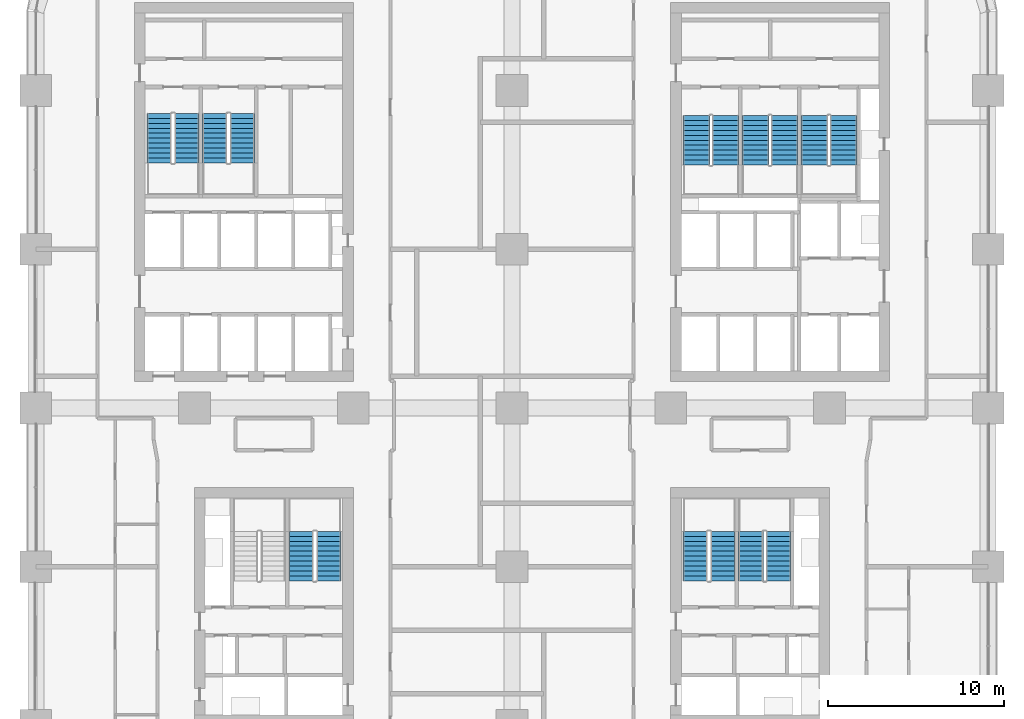
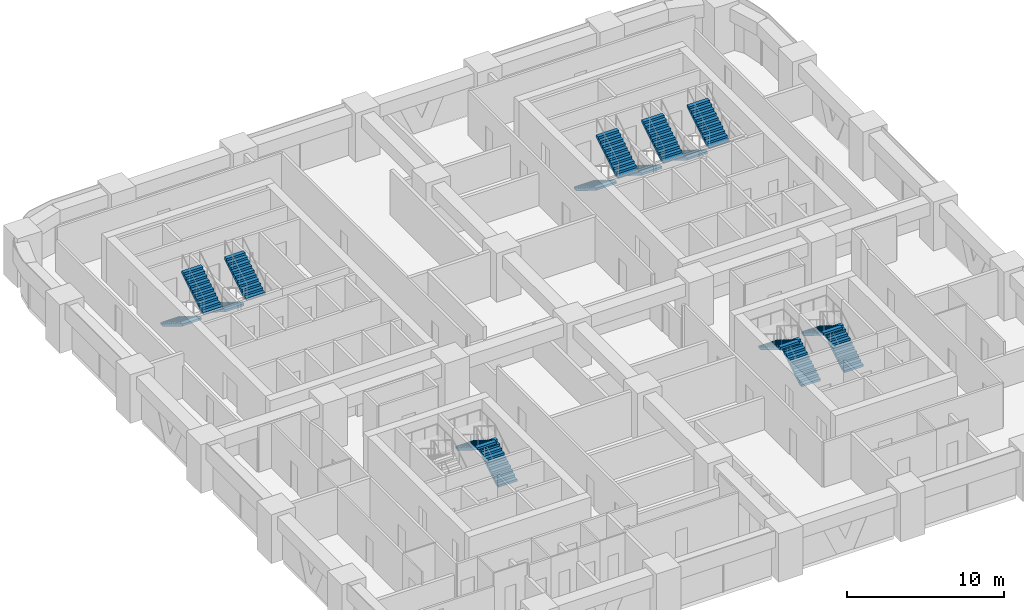
# One storey, part 19 of 21: 16 stair flights, 8 elements without a shape of their own.
"""IFC4 building model written with IfcOpenShell, lengths in metres."""

import ifcopenshell
import ifcopenshell.guid

model = None  # the IFC model being written
_history = None  # IfcOwnerHistory: only IFC2X3 demands one
_inside = {}  # id of a spatial element -> (the spatial element, [elements in it])
_under = {}  # id of a project, library or spatial element -> (it, [spatial elements below it])
_declared = {}  # id of a project -> (the project, [libraries it declares])
_typed = {}  # id of a type object -> (the type object, [elements of that type])
_made_of = {}  # id of a material, layer set ... -> (it, [elements and type objects made of it])


def new_model(schema):
    """Start an empty IFC model of exactly this schema.

    Asked for "IFC4X3", IfcOpenShell would pick the latest addendum, in which some entities
    have other attributes; the version numbers below select the first issue.
    IFC2X3 requires an IfcOwnerHistory on every rooted entity: one is made here for all.
    """
    global model, _history
    if schema == "IFC4X3":
        model = ifcopenshell.file(schema_version=(4, 3, 0, 0))
    else:
        model = ifcopenshell.file(schema=schema)
    _inside.clear()
    _under.clear()
    _declared.clear()
    _typed.clear()
    _made_of.clear()
    _history = None
    if model.schema == "IFC2X3":
        org = make("IfcOrganization", Name="unknown")
        user = make(
            "IfcPersonAndOrganization",
            ThePerson=make("IfcPerson", FamilyName="unknown"),
            TheOrganization=org,
        )
        app = make(
            "IfcApplication",
            ApplicationDeveloper=org,
            Version="unknown",
            ApplicationFullName="unknown",
            ApplicationIdentifier="unknown",
        )
        _history = make(
            "IfcOwnerHistory",
            OwningUser=user,
            OwningApplication=app,
            ChangeAction="ADDED",
            CreationDate=0,
        )
    return model


def make(cls, **values):
    """One entity of the class cls with the attributes given. An attribute that is None is left unset."""
    return model.create_entity(
        cls, **{name: value for name, value in values.items() if value is not None}
    )


def rooted(cls, **values):
    """An entity with a GlobalId (a new one), such as an element, a storey or a relation."""
    return make(cls, GlobalId=ifcopenshell.guid.new(), OwnerHistory=_history, **values)


def si_unit(unit_type, name, prefix=None):
    """IfcSIUnit, for example si_unit("LENGTHUNIT", "METRE", prefix="MILLI")."""
    return make("IfcSIUnit", UnitType=unit_type, Prefix=prefix, Name=name)


def assignment(units):
    """IfcUnitAssignment: the units of a project."""
    return None if units is None else make("IfcUnitAssignment", Units=units)


def point(xyz):
    """IfcCartesianPoint."""
    return None if xyz is None else make("IfcCartesianPoint", Coordinates=xyz)


def direction(xyz):
    """IfcDirection."""
    return None if xyz is None else make("IfcDirection", DirectionRatios=xyz)


def frame(location, z_axis=None, x_axis=None):
    """IfcAxis2Placement3D, a coordinate frame: its origin and axes. An axis left out is left unset."""
    return make(
        "IfcAxis2Placement3D",
        Location=point(location),
        Axis=direction(z_axis),
        RefDirection=direction(x_axis),
    )


def origin():
    """The frame at (0, 0, 0) with its axes left unset."""
    return frame((0.0, 0.0, 0.0))


def place(relative_to, where):
    """IfcLocalPlacement: puts the frame where relative to a parent placement (None: the world)."""
    return make(
        "IfcLocalPlacement", PlacementRelTo=relative_to, RelativePlacement=where
    )


def context(
    kind, dimensions, precision=None, world=None, true_north=None, identifier=None
):
    """IfcGeometricRepresentationContext, for example the 3D "Model" context."""
    return make(
        "IfcGeometricRepresentationContext",
        ContextIdentifier=identifier,
        ContextType=kind,
        CoordinateSpaceDimension=dimensions,
        Precision=precision,
        WorldCoordinateSystem=world,
        TrueNorth=true_north,
    )


def subcontext(parent, identifier, kind, view, scale=None):
    """IfcGeometricRepresentationSubContext, for example "Body" below "Model"."""
    return make(
        "IfcGeometricRepresentationSubContext",
        ContextIdentifier=identifier,
        ContextType=kind,
        ParentContext=parent,
        TargetScale=scale,
        TargetView=view,
    )


def project(units=None, contexts=None):
    """IfcProject with its units and contexts."""
    return rooted(
        "IfcProject",
        Name="project",
        RepresentationContexts=contexts,
        UnitsInContext=assignment(units),
    )


def spatial(cls, under=None, at=None, **own):
    """A site, building, storey or space (cls), placed at a placement, below another one or the project."""
    s = rooted(cls, ObjectPlacement=at, **own)
    if under is not None:
        _under.setdefault(under.id(), (under, []))[1].append(s)
    return s


def polyline(points):
    """IfcPolyline through the points."""
    return make("IfcPolyline", Points=[point(p) for p in points])


def outline(outer, holes=None, kind="AREA"):
    """IfcArbitraryClosedProfileDef: a profile drawn as a closed curve; with holes, ...WithVoids."""
    if holes is None:
        return make("IfcArbitraryClosedProfileDef", ProfileType=kind, OuterCurve=outer)
    return make(
        "IfcArbitraryProfileDefWithVoids",
        ProfileType=kind,
        OuterCurve=outer,
        InnerCurves=holes,
    )


def extrude(swept, where, along, depth):
    """IfcExtrudedAreaSolid: the profile swept, set in the frame where, extruded along a direction by depth."""
    return make(
        "IfcExtrudedAreaSolid",
        SweptArea=swept,
        Position=where,
        ExtrudedDirection=direction(along),
        Depth=depth,
    )


def shape(context_of_items, identifier, shape_type, items):
    """IfcShapeRepresentation: the items that make up one representation, for example the "Body"."""
    return make(
        "IfcShapeRepresentation",
        ContextOfItems=context_of_items,
        RepresentationIdentifier=identifier,
        RepresentationType=shape_type,
        Items=items,
    )


def material(Name=None, Category=None):
    """IfcMaterial."""
    return make("IfcMaterial", Name=Name, Category=Category)


def made_of(thing, what):
    """Note that an element or type object is made of a material, layer set ...; save() writes the relation."""
    if what is not None:
        _made_of.setdefault(what.id(), (what, []))[1].append(thing)
    return thing


def type_object(cls, material=None, **own):
    """A type object (cls), such as IfcWallType, which elements share."""
    return made_of(rooted(cls, **own), material)


def element(
    cls,
    number,
    at=None,
    inside=None,
    cuts=None,
    type_object=None,
    material=None,
    context=None,
    identifier="Body",
    shape_type=None,
    held_by="IfcProductDefinitionShape",
    body=None,
    shapes=None,
    **own,
):
    """One element of the class cls, such as IfcWall. Its Tag is "e" and its number.

    at: its placement. inside: the storey or other place that contains it. cuts: it is an
    opening in that element (IfcRelVoidsElement). A single representation is given by context,
    identifier, shape_type and body (its items); several are given by shapes. held_by: the class
    of the entity that holds the representations. save() writes the other relations.
    """
    e = rooted(cls, Tag="e%d" % number, ObjectPlacement=at, **own)
    if body is not None:
        shapes = [shape(context, identifier, shape_type, body)]
    if shapes is not None:
        e.Representation = make(held_by, Representations=shapes)
    if inside is not None:
        _inside.setdefault(inside.id(), (inside, []))[1].append(e)
    if cuts is not None:
        rooted(
            "IfcRelVoidsElement", RelatingBuildingElement=cuts, RelatedOpeningElement=e
        )
    if type_object is not None:
        _typed.setdefault(type_object.id(), (type_object, []))[1].append(e)
    return made_of(e, material)


def aggregate(whole, parts):
    """IfcRelAggregates: a whole, such as a stair, and the parts it consists of."""
    return rooted("IfcRelAggregates", RelatingObject=whole, RelatedObjects=parts)


def save(model, path):
    """Write the relations noted so far, then the file.

    IfcRelAggregates (storeys below a building ...), IfcRelContainedInSpatialStructure (elements
    in a storey), IfcRelDefinesByType, IfcRelAssociatesMaterial and IfcRelDeclares: one each for
    every whole, place, type object, material and project.
    """
    for whole, parts in _under.values():
        aggregate(whole, parts)
    for where, things in _inside.values():
        rooted(
            "IfcRelContainedInSpatialStructure",
            RelatedElements=things,
            RelatingStructure=where,
        )
    for kind, things in _typed.values():
        rooted("IfcRelDefinesByType", RelatedObjects=things, RelatingType=kind)
    for what, things in _made_of.values():
        rooted("IfcRelAssociatesMaterial", RelatedObjects=things, RelatingMaterial=what)
    for by, libraries in _declared.values():
        rooted("IfcRelDeclares", RelatingContext=by, RelatedDefinitions=libraries)
    model.write(path)


model = new_model("IFC4")

# Units and contexts
model_context = context("Model", 3, precision=1e-05, world=origin(), true_north=direction((0.0, 1.0)))
body_context = subcontext(model_context, "Body", "Model", "MODEL_VIEW")
ifc_project = project(units=[si_unit("LENGTHUNIT", "METRE"), si_unit("AREAUNIT", "SQUARE_METRE"), si_unit("VOLUMEUNIT", "CUBIC_METRE"), si_unit("PLANEANGLEUNIT", "RADIAN"), si_unit("MASSUNIT", "GRAM", prefix="KILO")], contexts=[model_context])

# Site, building, storey
site_placement = place(None, origin())
site = spatial("IfcSite", under=ifc_project, at=site_placement, CompositionType="ELEMENT")
building_placement = place(site_placement, origin())
building = spatial("IfcBuilding", under=site, at=building_placement, Name="Tessera Arch", CompositionType="ELEMENT")
storey_placement = place(building_placement, frame((0.0, 0.0, 69.0)))
storey = spatial("IfcBuildingStorey", under=building, at=storey_placement, Name="L15", CompositionType="ELEMENT", Elevation=69.0)

# Stair, stair flights
ifc_material_1 = material(Name="Concrete C40/50", Category="concrete")
stair_type_1 = type_object("IfcStairType", Name="Dogleg stair 1400", PredefinedType="HALF_TURN_STAIR", material=ifc_material_1)
stair_1_placement = place(storey_placement, origin())
stair_1 = element("IfcStair", 1, at=stair_1_placement, inside=storey, type_object=stair_type_1, Name="L15 S2a", PredefinedType="HALF_TURN_STAIR")
ifc_material_2 = material(Name="Concrete C40/50", Category="concrete")
stair_flight_type_1 = type_object("IfcStairFlightType", Name="Stair flight 1400", PredefinedType="STRAIGHT", material=ifc_material_2)
stair_flight_1_placement = place(storey_placement, frame((7.0, 43.699951171875, 0.0), z_axis=(0.0, 0.0, 1.0), x_axis=(0.0, -1.0, 0.0)))
stair_flight_1 = element("IfcStairFlight", 2, at=stair_flight_1_placement, type_object=stair_flight_type_1, Name="S2a flight 1", NumberOfRisers=11, NumberOfTreads=10, PredefinedType="STRAIGHT", RiserHeight=0.172727273, TreadLength=0.28, context=body_context, shape_type="SweptSolid", body=[
    extrude(outline(polyline([(0.0, 0.0), (0.0, 0.172607421875), (0.280029296875, 0.172607421875), (0.280029296875, 0.345458984375), (0.56005859375, 0.345458984375), (0.56005859375, 0.51806640625), (0.840087890625, 0.51806640625), (0.840087890625, 0.69091796875), (1.1201171875, 0.69091796875), (1.1201171875, 0.863525390625), (1.39990234375, 0.863525390625), (1.39990234375, 1.036376953125), (1.679931640625, 1.036376953125), (1.679931640625, 1.208984375), (1.9599609375, 1.208984375), (1.9599609375, 1.3818359375), (2.239990234375, 1.3818359375), (2.239990234375, 1.554443359375), (2.52001953125, 1.554443359375), (2.52001953125, 1.727294921875), (2.800048828125, 1.727294921875), (2.800048828125, 1.89990234375), (2.800048828125, 1.551025390625), (0.285400390625, 0.0), (0.0, 0.0)])), frame((0.0, 0.699951171875, 0.0), z_axis=(0.0, -1.0, 0.0), x_axis=(1.0, 0.0, 0.0)), (0.0, 0.0, 1.0), 1.39990234375),
])
stair_flight_2_placement = place(storey_placement, frame((8.550048828125, 40.89990234375, 1.89990234375), z_axis=(0.0, 0.0, 1.0), x_axis=(0.0, 1.0, 0.0)))
stair_flight_2 = element("IfcStairFlight", 3, at=stair_flight_2_placement, type_object=stair_flight_type_1, Name="S2a flight 2", NumberOfRisers=11, NumberOfTreads=10, PredefinedType="STRAIGHT", RiserHeight=0.172727273, TreadLength=0.28, context=body_context, shape_type="SweptSolid", body=[
    extrude(outline(polyline([(0.0, 0.0), (0.0, 0.172607421875), (0.280029296875, 0.172607421875), (0.280029296875, 0.345458984375), (0.56005859375, 0.345458984375), (0.56005859375, 0.51806640625), (0.840087890625, 0.51806640625), (0.840087890625, 0.69091796875), (1.1201171875, 0.69091796875), (1.1201171875, 0.863525390625), (1.39990234375, 0.863525390625), (1.39990234375, 1.036376953125), (1.679931640625, 1.036376953125), (1.679931640625, 1.208984375), (1.9599609375, 1.208984375), (1.9599609375, 1.3818359375), (2.239990234375, 1.3818359375), (2.239990234375, 1.554443359375), (2.52001953125, 1.554443359375), (2.52001953125, 1.727294921875), (2.800048828125, 1.727294921875), (2.800048828125, 1.89990234375), (2.800048828125, 1.551025390625), (0.285400390625, 0.0), (0.0, 0.0)])), frame((0.0, 0.699951171875, 0.0), z_axis=(0.0, -1.0, 0.0), x_axis=(1.0, 0.0, 0.0)), (0.0, 0.0, 1.0), 1.39990234375),
])
aggregate(stair_1, [stair_flight_1, stair_flight_2])

stair_2_placement = place(storey_placement, origin())
stair_2 = element("IfcStair", 4, at=stair_2_placement, inside=storey, type_object=stair_type_1, Name="L15 S2b", PredefinedType="HALF_TURN_STAIR")
stair_flight_3_placement = place(storey_placement, frame((10.14990234375, 43.699951171875, 0.0), z_axis=(0.0, 0.0, 1.0), x_axis=(0.0, -1.0, 0.0)))
stair_flight_3 = element("IfcStairFlight", 5, at=stair_flight_3_placement, type_object=stair_flight_type_1, Name="S2b flight 1", NumberOfRisers=11, NumberOfTreads=10, PredefinedType="STRAIGHT", RiserHeight=0.172727273, TreadLength=0.28, context=body_context, shape_type="SweptSolid", body=[
    extrude(outline(polyline([(0.0, 0.0), (0.0, 0.172607421875), (0.280029296875, 0.172607421875), (0.280029296875, 0.345458984375), (0.56005859375, 0.345458984375), (0.56005859375, 0.51806640625), (0.840087890625, 0.51806640625), (0.840087890625, 0.69091796875), (1.1201171875, 0.69091796875), (1.1201171875, 0.863525390625), (1.39990234375, 0.863525390625), (1.39990234375, 1.036376953125), (1.679931640625, 1.036376953125), (1.679931640625, 1.208984375), (1.9599609375, 1.208984375), (1.9599609375, 1.3818359375), (2.239990234375, 1.3818359375), (2.239990234375, 1.554443359375), (2.52001953125, 1.554443359375), (2.52001953125, 1.727294921875), (2.800048828125, 1.727294921875), (2.800048828125, 1.89990234375), (2.800048828125, 1.551025390625), (0.285400390625, 0.0), (0.0, 0.0)])), frame((0.0, 0.699951171875, 0.0), z_axis=(0.0, -1.0, 0.0), x_axis=(1.0, 0.0, 0.0)), (0.0, 0.0, 1.0), 1.39990234375),
])
stair_flight_4_placement = place(storey_placement, frame((11.699951171875, 40.89990234375, 1.89990234375), z_axis=(0.0, 0.0, 1.0), x_axis=(0.0, 1.0, 0.0)))
stair_flight_4 = element("IfcStairFlight", 6, at=stair_flight_4_placement, type_object=stair_flight_type_1, Name="S2b flight 2", NumberOfRisers=11, NumberOfTreads=10, PredefinedType="STRAIGHT", RiserHeight=0.172727273, TreadLength=0.28, context=body_context, shape_type="SweptSolid", body=[
    extrude(outline(polyline([(0.0, 0.0), (0.0, 0.172607421875), (0.280029296875, 0.172607421875), (0.280029296875, 0.345458984375), (0.56005859375, 0.345458984375), (0.56005859375, 0.51806640625), (0.840087890625, 0.51806640625), (0.840087890625, 0.69091796875), (1.1201171875, 0.69091796875), (1.1201171875, 0.863525390625), (1.39990234375, 0.863525390625), (1.39990234375, 1.036376953125), (1.679931640625, 1.036376953125), (1.679931640625, 1.208984375), (1.9599609375, 1.208984375), (1.9599609375, 1.3818359375), (2.239990234375, 1.3818359375), (2.239990234375, 1.554443359375), (2.52001953125, 1.554443359375), (2.52001953125, 1.727294921875), (2.800048828125, 1.727294921875), (2.800048828125, 1.89990234375), (2.800048828125, 1.551025390625), (0.285400390625, 0.0), (0.0, 0.0)])), frame((0.0, 0.699951171875, 0.0), z_axis=(0.0, -1.0, 0.0), x_axis=(1.0, 0.0, 0.0)), (0.0, 0.0, 1.0), 1.39990234375),
])
aggregate(stair_2, [stair_flight_3, stair_flight_4])

stair_3_placement = place(storey_placement, origin())
stair_3 = element("IfcStair", 7, at=stair_3_placement, inside=storey, type_object=stair_type_1, Name="L15 S3a", PredefinedType="HALF_TURN_STAIR")
stair_flight_5_placement = place(storey_placement, frame((38.949951171875, 17.199951171875, 0.0), z_axis=(0.0, 0.0, 1.0), x_axis=(0.0, 1.0, 0.0)))
stair_flight_5 = element("IfcStairFlight", 8, at=stair_flight_5_placement, type_object=stair_flight_type_1, Name="S3a flight 1", NumberOfRisers=11, NumberOfTreads=10, PredefinedType="STRAIGHT", RiserHeight=0.172727273, TreadLength=0.28, context=body_context, shape_type="SweptSolid", body=[
    extrude(outline(polyline([(0.0, 0.0), (0.0, 0.172607421875), (0.280029296875, 0.172607421875), (0.280029296875, 0.345458984375), (0.56005859375, 0.345458984375), (0.56005859375, 0.51806640625), (0.840087890625, 0.51806640625), (0.840087890625, 0.69091796875), (1.1201171875, 0.69091796875), (1.1201171875, 0.863525390625), (1.39990234375, 0.863525390625), (1.39990234375, 1.036376953125), (1.679931640625, 1.036376953125), (1.679931640625, 1.208984375), (1.9599609375, 1.208984375), (1.9599609375, 1.3818359375), (2.239990234375, 1.3818359375), (2.239990234375, 1.554443359375), (2.52001953125, 1.554443359375), (2.52001953125, 1.727294921875), (2.800048828125, 1.727294921875), (2.800048828125, 1.89990234375), (2.800048828125, 1.551025390625), (0.285400390625, 0.0), (0.0, 0.0)])), frame((0.0, 0.699951171875, 0.0), z_axis=(0.0, -1.0, 0.0), x_axis=(1.0, 0.0, 0.0)), (0.0, 0.0, 1.0), 1.39990234375),
])
stair_flight_6_placement = place(storey_placement, frame((37.39990234375, 20.0, 1.89990234375), z_axis=(0.0, 0.0, 1.0), x_axis=(0.0, -1.0, 0.0)))
stair_flight_6 = element("IfcStairFlight", 9, at=stair_flight_6_placement, type_object=stair_flight_type_1, Name="S3a flight 2", NumberOfRisers=11, NumberOfTreads=10, PredefinedType="STRAIGHT", RiserHeight=0.172727273, TreadLength=0.28, context=body_context, shape_type="SweptSolid", body=[
    extrude(outline(polyline([(0.0, 0.0), (0.0, 0.172607421875), (0.280029296875, 0.172607421875), (0.280029296875, 0.345458984375), (0.56005859375, 0.345458984375), (0.56005859375, 0.51806640625), (0.840087890625, 0.51806640625), (0.840087890625, 0.69091796875), (1.1201171875, 0.69091796875), (1.1201171875, 0.863525390625), (1.39990234375, 0.863525390625), (1.39990234375, 1.036376953125), (1.679931640625, 1.036376953125), (1.679931640625, 1.208984375), (1.9599609375, 1.208984375), (1.9599609375, 1.3818359375), (2.239990234375, 1.3818359375), (2.239990234375, 1.554443359375), (2.52001953125, 1.554443359375), (2.52001953125, 1.727294921875), (2.800048828125, 1.727294921875), (2.800048828125, 1.89990234375), (2.800048828125, 1.551025390625), (0.285400390625, 0.0), (0.0, 0.0)])), frame((0.0, 0.699951171875, 0.0), z_axis=(0.0, -1.0, 0.0), x_axis=(1.0, 0.0, 0.0)), (0.0, 0.0, 1.0), 1.39990234375),
])
aggregate(stair_3, [stair_flight_5, stair_flight_6])

stair_4_placement = place(storey_placement, origin())
stair_4 = element("IfcStair", 10, at=stair_4_placement, inside=storey, type_object=stair_type_1, Name="L15 S3b", PredefinedType="HALF_TURN_STAIR")
stair_flight_7_placement = place(storey_placement, frame((42.10009765625, 17.199951171875, 0.0), z_axis=(0.0, 0.0, 1.0), x_axis=(0.0, 1.0, 0.0)))
stair_flight_7 = element("IfcStairFlight", 11, at=stair_flight_7_placement, type_object=stair_flight_type_1, Name="S3b flight 1", NumberOfRisers=11, NumberOfTreads=10, PredefinedType="STRAIGHT", RiserHeight=0.172727273, TreadLength=0.28, context=body_context, shape_type="SweptSolid", body=[
    extrude(outline(polyline([(0.0, 0.0), (0.0, 0.172607421875), (0.280029296875, 0.172607421875), (0.280029296875, 0.345458984375), (0.56005859375, 0.345458984375), (0.56005859375, 0.51806640625), (0.840087890625, 0.51806640625), (0.840087890625, 0.69091796875), (1.1201171875, 0.69091796875), (1.1201171875, 0.863525390625), (1.39990234375, 0.863525390625), (1.39990234375, 1.036376953125), (1.679931640625, 1.036376953125), (1.679931640625, 1.208984375), (1.9599609375, 1.208984375), (1.9599609375, 1.3818359375), (2.239990234375, 1.3818359375), (2.239990234375, 1.554443359375), (2.52001953125, 1.554443359375), (2.52001953125, 1.727294921875), (2.800048828125, 1.727294921875), (2.800048828125, 1.89990234375), (2.800048828125, 1.551025390625), (0.285400390625, 0.0), (0.0, 0.0)])), frame((0.0, 0.699951171875, 0.0), z_axis=(0.0, -1.0, 0.0), x_axis=(1.0, 0.0, 0.0)), (0.0, 0.0, 1.0), 1.39990234375),
])
stair_flight_8_placement = place(storey_placement, frame((40.550048828125, 20.0, 1.89990234375), z_axis=(0.0, 0.0, 1.0), x_axis=(0.0, -1.0, 0.0)))
stair_flight_8 = element("IfcStairFlight", 12, at=stair_flight_8_placement, type_object=stair_flight_type_1, Name="S3b flight 2", NumberOfRisers=11, NumberOfTreads=10, PredefinedType="STRAIGHT", RiserHeight=0.172727273, TreadLength=0.28, context=body_context, shape_type="SweptSolid", body=[
    extrude(outline(polyline([(0.0, 0.0), (0.0, 0.172607421875), (0.280029296875, 0.172607421875), (0.280029296875, 0.345458984375), (0.56005859375, 0.345458984375), (0.56005859375, 0.51806640625), (0.840087890625, 0.51806640625), (0.840087890625, 0.69091796875), (1.1201171875, 0.69091796875), (1.1201171875, 0.863525390625), (1.39990234375, 0.863525390625), (1.39990234375, 1.036376953125), (1.679931640625, 1.036376953125), (1.679931640625, 1.208984375), (1.9599609375, 1.208984375), (1.9599609375, 1.3818359375), (2.239990234375, 1.3818359375), (2.239990234375, 1.554443359375), (2.52001953125, 1.554443359375), (2.52001953125, 1.727294921875), (2.800048828125, 1.727294921875), (2.800048828125, 1.89990234375), (2.800048828125, 1.551025390625), (0.285400390625, 0.0), (0.0, 0.0)])), frame((0.0, 0.699951171875, 0.0), z_axis=(0.0, -1.0, 0.0), x_axis=(1.0, 0.0, 0.0)), (0.0, 0.0, 1.0), 1.39990234375),
])
aggregate(stair_4, [stair_flight_7, stair_flight_8])

stair_5_placement = place(storey_placement, origin())
stair_5 = element("IfcStair", 13, at=stair_5_placement, inside=storey, type_object=stair_type_1, Name="L15 S4a", PredefinedType="HALF_TURN_STAIR")
stair_flight_9_placement = place(storey_placement, frame((16.60009765625, 17.199951171875, 0.0), z_axis=(0.0, 0.0, 1.0), x_axis=(0.0, 1.0, 0.0)))
stair_flight_9 = element("IfcStairFlight", 14, at=stair_flight_9_placement, type_object=stair_flight_type_1, Name="S4a flight 1", NumberOfRisers=11, NumberOfTreads=10, PredefinedType="STRAIGHT", RiserHeight=0.172727273, TreadLength=0.28, context=body_context, shape_type="SweptSolid", body=[
    extrude(outline(polyline([(0.0, 0.0), (0.0, 0.172607421875), (0.280029296875, 0.172607421875), (0.280029296875, 0.345458984375), (0.56005859375, 0.345458984375), (0.56005859375, 0.51806640625), (0.840087890625, 0.51806640625), (0.840087890625, 0.69091796875), (1.1201171875, 0.69091796875), (1.1201171875, 0.863525390625), (1.39990234375, 0.863525390625), (1.39990234375, 1.036376953125), (1.679931640625, 1.036376953125), (1.679931640625, 1.208984375), (1.9599609375, 1.208984375), (1.9599609375, 1.3818359375), (2.239990234375, 1.3818359375), (2.239990234375, 1.554443359375), (2.52001953125, 1.554443359375), (2.52001953125, 1.727294921875), (2.800048828125, 1.727294921875), (2.800048828125, 1.89990234375), (2.800048828125, 1.551025390625), (0.285400390625, 0.0), (0.0, 0.0)])), frame((0.0, 0.699951171875, 0.0), z_axis=(0.0, -1.0, 0.0), x_axis=(1.0, 0.0, 0.0)), (0.0, 0.0, 1.0), 1.39990234375),
])
stair_flight_10_placement = place(storey_placement, frame((15.050048828125, 20.0, 1.89990234375), z_axis=(0.0, 0.0, 1.0), x_axis=(0.0, -1.0, 0.0)))
stair_flight_10 = element("IfcStairFlight", 15, at=stair_flight_10_placement, type_object=stair_flight_type_1, Name="S4a flight 2", NumberOfRisers=11, NumberOfTreads=10, PredefinedType="STRAIGHT", RiserHeight=0.172727273, TreadLength=0.28, context=body_context, shape_type="SweptSolid", body=[
    extrude(outline(polyline([(0.0, 0.0), (0.0, 0.172607421875), (0.280029296875, 0.172607421875), (0.280029296875, 0.345458984375), (0.56005859375, 0.345458984375), (0.56005859375, 0.51806640625), (0.840087890625, 0.51806640625), (0.840087890625, 0.69091796875), (1.1201171875, 0.69091796875), (1.1201171875, 0.863525390625), (1.39990234375, 0.863525390625), (1.39990234375, 1.036376953125), (1.679931640625, 1.036376953125), (1.679931640625, 1.208984375), (1.9599609375, 1.208984375), (1.9599609375, 1.3818359375), (2.239990234375, 1.3818359375), (2.239990234375, 1.554443359375), (2.52001953125, 1.554443359375), (2.52001953125, 1.727294921875), (2.800048828125, 1.727294921875), (2.800048828125, 1.89990234375), (2.800048828125, 1.551025390625), (0.285400390625, 0.0), (0.0, 0.0)])), frame((0.0, 0.699951171875, 0.0), z_axis=(0.0, -1.0, 0.0), x_axis=(1.0, 0.0, 0.0)), (0.0, 0.0, 1.0), 1.39990234375),
])
aggregate(stair_5, [stair_flight_9, stair_flight_10])

ifc_material_3 = material(Name="Concrete C40/50", Category="concrete")
stair_type_2 = type_object("IfcStairType", Name="Dogleg stair 1520", PredefinedType="HALF_TURN_STAIR", material=ifc_material_3)
stair_6_placement = place(storey_placement, origin())
stair_6 = element("IfcStair", 16, at=stair_6_placement, inside=storey, type_object=stair_type_2, Name="L15 S1a", PredefinedType="HALF_TURN_STAIR")
ifc_material_4 = material(Name="Concrete C40/50", Category="concrete")
stair_flight_type_2 = type_object("IfcStairFlightType", Name="Stair flight 1520", PredefinedType="STRAIGHT", material=ifc_material_4)
stair_flight_11_placement = place(storey_placement, frame((37.4599609375, 43.580078125, 0.0), z_axis=(0.0, 0.0, 1.0), x_axis=(0.0, -1.0, 0.0)))
stair_flight_11 = element("IfcStairFlight", 17, at=stair_flight_11_placement, type_object=stair_flight_type_2, Name="S1a flight 1", NumberOfRisers=11, NumberOfTreads=10, PredefinedType="STRAIGHT", RiserHeight=0.172727273, TreadLength=0.28, context=body_context, shape_type="SweptSolid", body=[
    extrude(outline(polyline([(0.0, 0.0), (0.0, 0.172607421875), (0.280029296875, 0.172607421875), (0.280029296875, 0.345458984375), (0.56005859375, 0.345458984375), (0.56005859375, 0.51806640625), (0.840087890625, 0.51806640625), (0.840087890625, 0.69091796875), (1.1201171875, 0.69091796875), (1.1201171875, 0.863525390625), (1.39990234375, 0.863525390625), (1.39990234375, 1.036376953125), (1.679931640625, 1.036376953125), (1.679931640625, 1.208984375), (1.9599609375, 1.208984375), (1.9599609375, 1.3818359375), (2.239990234375, 1.3818359375), (2.239990234375, 1.554443359375), (2.52001953125, 1.554443359375), (2.52001953125, 1.727294921875), (2.800048828125, 1.727294921875), (2.800048828125, 1.89990234375), (2.800048828125, 1.551025390625), (0.285400390625, 0.0), (0.0, 0.0)])), frame((0.0, 0.760009765625, 0.0), z_axis=(0.0, -1.0, 0.0), x_axis=(1.0, 0.0, 0.0)), (0.0, 0.0, 1.0), 1.52001953125),
])
stair_flight_12_placement = place(storey_placement, frame((39.090087890625, 40.780029296875, 1.89990234375), z_axis=(0.0, 0.0, 1.0), x_axis=(0.0, 1.0, 0.0)))
stair_flight_12 = element("IfcStairFlight", 18, at=stair_flight_12_placement, type_object=stair_flight_type_2, Name="S1a flight 2", NumberOfRisers=11, NumberOfTreads=10, PredefinedType="STRAIGHT", RiserHeight=0.172727273, TreadLength=0.28, context=body_context, shape_type="SweptSolid", body=[
    extrude(outline(polyline([(0.0, 0.0), (0.0, 0.172607421875), (0.280029296875, 0.172607421875), (0.280029296875, 0.345458984375), (0.56005859375, 0.345458984375), (0.56005859375, 0.51806640625), (0.840087890625, 0.51806640625), (0.840087890625, 0.69091796875), (1.1201171875, 0.69091796875), (1.1201171875, 0.863525390625), (1.39990234375, 0.863525390625), (1.39990234375, 1.036376953125), (1.679931640625, 1.036376953125), (1.679931640625, 1.208984375), (1.9599609375, 1.208984375), (1.9599609375, 1.3818359375), (2.239990234375, 1.3818359375), (2.239990234375, 1.554443359375), (2.52001953125, 1.554443359375), (2.52001953125, 1.727294921875), (2.800048828125, 1.727294921875), (2.800048828125, 1.89990234375), (2.800048828125, 1.551025390625), (0.285400390625, 0.0), (0.0, 0.0)])), frame((0.0, 0.760009765625, 0.0), z_axis=(0.0, -1.0, 0.0), x_axis=(1.0, 0.0, 0.0)), (0.0, 0.0, 1.0), 1.52001953125),
])
aggregate(stair_6, [stair_flight_11, stair_flight_12])

stair_7_placement = place(storey_placement, origin())
stair_7 = element("IfcStair", 19, at=stair_7_placement, inside=storey, type_object=stair_type_2, Name="L15 S1b", PredefinedType="HALF_TURN_STAIR")
stair_flight_13_placement = place(storey_placement, frame((40.81005859375, 43.580078125, 0.0), z_axis=(0.0, 0.0, 1.0), x_axis=(0.0, -1.0, 0.0)))
stair_flight_13 = element("IfcStairFlight", 20, at=stair_flight_13_placement, type_object=stair_flight_type_2, Name="S1b flight 1", NumberOfRisers=11, NumberOfTreads=10, PredefinedType="STRAIGHT", RiserHeight=0.172727273, TreadLength=0.28, context=body_context, shape_type="SweptSolid", body=[
    extrude(outline(polyline([(0.0, 0.0), (0.0, 0.172607421875), (0.280029296875, 0.172607421875), (0.280029296875, 0.345458984375), (0.56005859375, 0.345458984375), (0.56005859375, 0.51806640625), (0.840087890625, 0.51806640625), (0.840087890625, 0.69091796875), (1.1201171875, 0.69091796875), (1.1201171875, 0.863525390625), (1.39990234375, 0.863525390625), (1.39990234375, 1.036376953125), (1.679931640625, 1.036376953125), (1.679931640625, 1.208984375), (1.9599609375, 1.208984375), (1.9599609375, 1.3818359375), (2.239990234375, 1.3818359375), (2.239990234375, 1.554443359375), (2.52001953125, 1.554443359375), (2.52001953125, 1.727294921875), (2.800048828125, 1.727294921875), (2.800048828125, 1.89990234375), (2.800048828125, 1.551025390625), (0.285400390625, 0.0), (0.0, 0.0)])), frame((0.0, 0.760009765625, 0.0), z_axis=(0.0, -1.0, 0.0), x_axis=(1.0, 0.0, 0.0)), (0.0, 0.0, 1.0), 1.52001953125),
])
stair_flight_14_placement = place(storey_placement, frame((42.43994140625, 40.780029296875, 1.89990234375), z_axis=(0.0, 0.0, 1.0), x_axis=(0.0, 1.0, 0.0)))
stair_flight_14 = element("IfcStairFlight", 21, at=stair_flight_14_placement, type_object=stair_flight_type_2, Name="S1b flight 2", NumberOfRisers=11, NumberOfTreads=10, PredefinedType="STRAIGHT", RiserHeight=0.172727273, TreadLength=0.28, context=body_context, shape_type="SweptSolid", body=[
    extrude(outline(polyline([(0.0, 0.0), (0.0, 0.172607421875), (0.280029296875, 0.172607421875), (0.280029296875, 0.345458984375), (0.56005859375, 0.345458984375), (0.56005859375, 0.51806640625), (0.840087890625, 0.51806640625), (0.840087890625, 0.69091796875), (1.1201171875, 0.69091796875), (1.1201171875, 0.863525390625), (1.39990234375, 0.863525390625), (1.39990234375, 1.036376953125), (1.679931640625, 1.036376953125), (1.679931640625, 1.208984375), (1.9599609375, 1.208984375), (1.9599609375, 1.3818359375), (2.239990234375, 1.3818359375), (2.239990234375, 1.554443359375), (2.52001953125, 1.554443359375), (2.52001953125, 1.727294921875), (2.800048828125, 1.727294921875), (2.800048828125, 1.89990234375), (2.800048828125, 1.551025390625), (0.285400390625, 0.0), (0.0, 0.0)])), frame((0.0, 0.760009765625, 0.0), z_axis=(0.0, -1.0, 0.0), x_axis=(1.0, 0.0, 0.0)), (0.0, 0.0, 1.0), 1.52001953125),
])
aggregate(stair_7, [stair_flight_13, stair_flight_14])

stair_8_placement = place(storey_placement, origin())
stair_8 = element("IfcStair", 22, at=stair_8_placement, inside=storey, type_object=stair_type_2, Name="L15 S1c", PredefinedType="HALF_TURN_STAIR")
stair_flight_15_placement = place(storey_placement, frame((44.159912109375, 43.580078125, 0.0), z_axis=(0.0, 0.0, 1.0), x_axis=(0.0, -1.0, 0.0)))
stair_flight_15 = element("IfcStairFlight", 23, at=stair_flight_15_placement, type_object=stair_flight_type_2, Name="S1c flight 1", NumberOfRisers=11, NumberOfTreads=10, PredefinedType="STRAIGHT", RiserHeight=0.172727273, TreadLength=0.28, context=body_context, shape_type="SweptSolid", body=[
    extrude(outline(polyline([(0.0, 0.0), (0.0, 0.172607421875), (0.280029296875, 0.172607421875), (0.280029296875, 0.345458984375), (0.56005859375, 0.345458984375), (0.56005859375, 0.51806640625), (0.840087890625, 0.51806640625), (0.840087890625, 0.69091796875), (1.1201171875, 0.69091796875), (1.1201171875, 0.863525390625), (1.39990234375, 0.863525390625), (1.39990234375, 1.036376953125), (1.679931640625, 1.036376953125), (1.679931640625, 1.208984375), (1.9599609375, 1.208984375), (1.9599609375, 1.3818359375), (2.239990234375, 1.3818359375), (2.239990234375, 1.554443359375), (2.52001953125, 1.554443359375), (2.52001953125, 1.727294921875), (2.800048828125, 1.727294921875), (2.800048828125, 1.89990234375), (2.800048828125, 1.551025390625), (0.285400390625, 0.0), (0.0, 0.0)])), frame((0.0, 0.760009765625, 0.0), z_axis=(0.0, -1.0, 0.0), x_axis=(1.0, 0.0, 0.0)), (0.0, 0.0, 1.0), 1.52001953125),
])
stair_flight_16_placement = place(storey_placement, frame((45.7900390625, 40.780029296875, 1.89990234375), z_axis=(0.0, 0.0, 1.0), x_axis=(0.0, 1.0, 0.0)))
stair_flight_16 = element("IfcStairFlight", 24, at=stair_flight_16_placement, type_object=stair_flight_type_2, Name="S1c flight 2", NumberOfRisers=11, NumberOfTreads=10, PredefinedType="STRAIGHT", RiserHeight=0.172727273, TreadLength=0.28, context=body_context, shape_type="SweptSolid", body=[
    extrude(outline(polyline([(0.0, 0.0), (0.0, 0.172607421875), (0.280029296875, 0.172607421875), (0.280029296875, 0.345458984375), (0.56005859375, 0.345458984375), (0.56005859375, 0.51806640625), (0.840087890625, 0.51806640625), (0.840087890625, 0.69091796875), (1.1201171875, 0.69091796875), (1.1201171875, 0.863525390625), (1.39990234375, 0.863525390625), (1.39990234375, 1.036376953125), (1.679931640625, 1.036376953125), (1.679931640625, 1.208984375), (1.9599609375, 1.208984375), (1.9599609375, 1.3818359375), (2.239990234375, 1.3818359375), (2.239990234375, 1.554443359375), (2.52001953125, 1.554443359375), (2.52001953125, 1.727294921875), (2.800048828125, 1.727294921875), (2.800048828125, 1.89990234375), (2.800048828125, 1.551025390625), (0.285400390625, 0.0), (0.0, 0.0)])), frame((0.0, 0.760009765625, 0.0), z_axis=(0.0, -1.0, 0.0), x_axis=(1.0, 0.0, 0.0)), (0.0, 0.0, 1.0), 1.52001953125),
])
aggregate(stair_8, [stair_flight_15, stair_flight_16])

save(model, "model.ifc")
